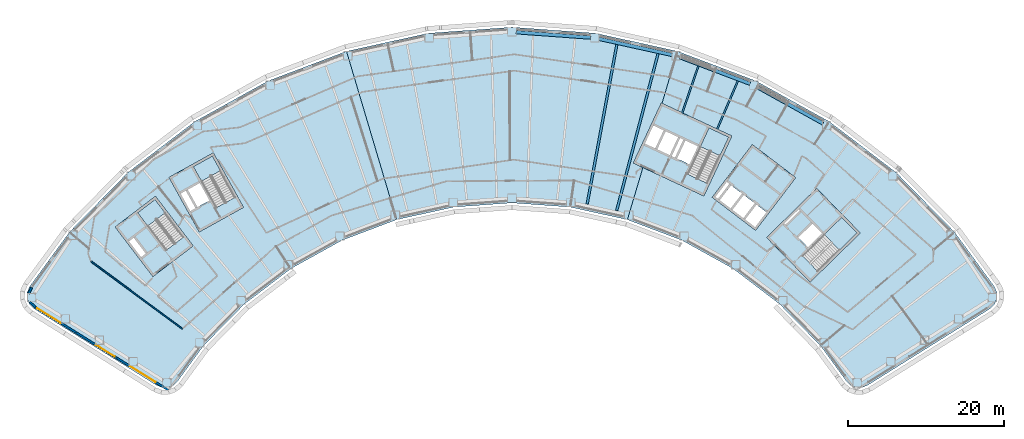
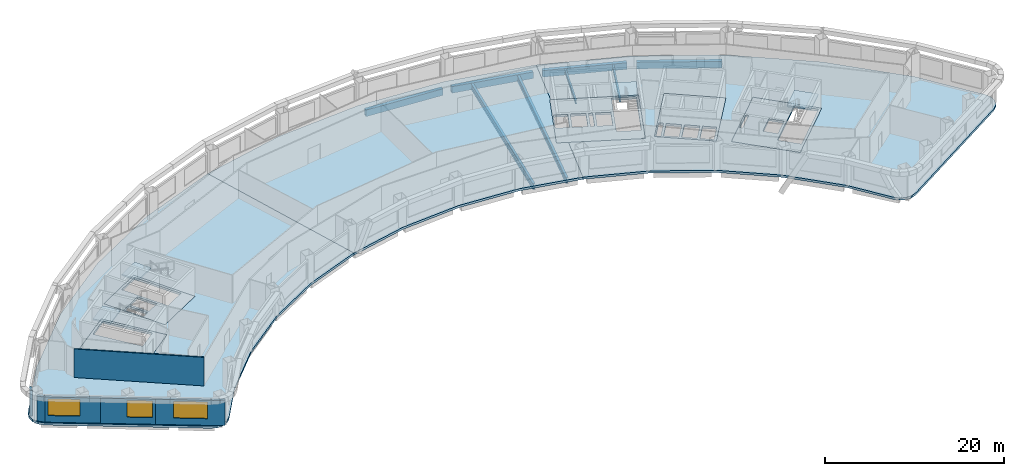
# One storey, part 2 of 12: 12 slabs, 8 beams, 6 walls, 3 windows, 3 openings, 4 elements without a shape of their own.
"""IFC4 building model written with IfcOpenShell, lengths in metres."""

from ifc_helpers import new_model, si_unit, direction, frame, frame_2d, origin, origin_2d, place, context, subcontext, project, spatial, polyline, rectangle, hollow_rectangle, i_section, outline, extrude, material, layer, layer_set, material_profile, profile_set, type_object, element, fill, aggregate, save


model = new_model("IFC4")

# Units and contexts
model_context = context("Model", 3, precision=1e-05, world=origin(), true_north=direction((0.0, 1.0)))
body_context = subcontext(model_context, "Body", "Model", "MODEL_VIEW")
ifc_project = project(units=[si_unit("LENGTHUNIT", "METRE"), si_unit("AREAUNIT", "SQUARE_METRE"), si_unit("VOLUMEUNIT", "CUBIC_METRE"), si_unit("PLANEANGLEUNIT", "RADIAN"), si_unit("MASSUNIT", "GRAM", prefix="KILO")], contexts=[model_context])

# Site, building, storey
site_placement = place(None, origin())
site = spatial("IfcSite", under=ifc_project, at=site_placement, CompositionType="ELEMENT")
building_placement = place(site_placement, origin())
building = spatial("IfcBuilding", under=site, at=building_placement, Name="Tuul Gate Civic Tower", CompositionType="ELEMENT")
storey_placement = place(building_placement, frame((0.0, 0.0, 103.5)))
storey = spatial("IfcBuildingStorey", under=building, at=storey_placement, Name="Level 23", CompositionType="ELEMENT", Elevation=103.5)

# Beams
ifc_material_1 = material(Name="Steel S355", Category="steel")
ifc_material_profile_1 = material_profile(ifc_material_1, i_section(OverallWidth=0.199951171875, OverallDepth=0.5, WebThickness=0.010009765625, FlangeThickness=0.01611328125, at=origin_2d()), Name="PG500x200x10x16")
ifc_profile_set_1 = profile_set([ifc_material_profile_1], Name="Steel S355")
beam_type_1 = type_object("IfcBeamType", Name="STR-FLOOR BEAM-PG500x200x10x16", PredefinedType="BEAM", material=ifc_profile_set_1)
beam_1_placement = place(storey_placement, frame((36.169677734375, 1.197998046875, -0.550048828125), z_axis=(0.394200560457, 0.919024438269, 0.0), x_axis=(-0.919024438269, 0.394200560457, 0.0)))
element("IfcBeam", 1, at=beam_1_placement, inside=storey, type_object=beam_type_1, Name="Floor beam", PredefinedType="BEAM", context=body_context, shape_type="SweptSolid", body=[
    extrude(i_section(OverallWidth=0.199951171875, OverallDepth=0.5, WebThickness=0.010009765625, FlangeThickness=0.01611328125, at=origin_2d()), origin(), (0.0, 0.0, 1.0), 6.704345703125),
])
beam_2_placement = place(storey_placement, frame((31.6875, 3.2880859375, -0.550048828125), z_axis=(0.325502200931, 0.945541282647, 0.0), x_axis=(-0.945541282647, 0.325502200931, 0.0)))
element("IfcBeam", 2, at=beam_2_placement, inside=storey, type_object=beam_type_1, Name="Floor beam", PredefinedType="BEAM", context=body_context, shape_type="SweptSolid", body=[
    extrude(i_section(OverallWidth=0.199951171875, OverallDepth=0.5, WebThickness=0.010009765625, FlangeThickness=0.01611328125, at=origin_2d()), origin(), (0.0, 0.0, 1.0), 6.3310546875),
])
ifc_material_2 = material(Name="Steel S355", Category="steel")
ifc_material_profile_2 = material_profile(ifc_material_2, i_section(OverallWidth=0.300048828125, OverallDepth=0.800048828125, WebThickness=0.013916015625, FlangeThickness=0.02490234375, at=origin_2d()), Name="PG800x300x14x25")
ifc_profile_set_2 = profile_set([ifc_material_profile_2], Name="Steel S355")
beam_type_2 = type_object("IfcBeamType", Name="STR-FLOOR BEAM-PG800x300x14x25", PredefinedType="BEAM", material=ifc_profile_set_2)
beam_3_placement = place(storey_placement, frame((23.267578125, -9.2548828125, -0.699951171875), z_axis=(0.255007612054, 0.966939045542, 0.0), x_axis=(-0.966939045542, 0.255007612054, 0.0)))
element("IfcBeam", 3, at=beam_3_placement, inside=storey, type_object=beam_type_2, Name="Floor beam", PredefinedType="BEAM", context=body_context, shape_type="SweptSolid", body=[
    extrude(i_section(OverallWidth=0.300048828125, OverallDepth=0.800048828125, WebThickness=0.013916015625, FlangeThickness=0.02490234375, at=origin_2d()), origin(), (0.0, 0.0, 1.0), 20.8173828125),
])
beam_4_placement = place(storey_placement, frame((19.477294921875, -8.419677734375, -0.699951171875), z_axis=(0.183147342328, 0.98308547492, 0.0), x_axis=(-0.98308547492, 0.183147342328, 0.0)))
element("IfcBeam", 4, at=beam_4_placement, inside=storey, type_object=beam_type_2, Name="Floor beam", PredefinedType="BEAM", context=body_context, shape_type="SweptSolid", body=[
    extrude(i_section(OverallWidth=0.300048828125, OverallDepth=0.800048828125, WebThickness=0.013916015625, FlangeThickness=0.02490234375, at=origin_2d()), origin(), (0.0, 0.0, 1.0), 20.811279296875),
])
ifc_material_3 = material(Name="Steel S355", Category="steel")
ifc_material_profile_3 = material_profile(ifc_material_3, hollow_rectangle(XDim=0.449951171875, YDim=0.89990234375, WallThickness=0.02490234375, at=origin_2d()), Name="BOX900x450x25")
ifc_profile_set_3 = profile_set([ifc_material_profile_3], Name="Steel S355")
beam_type_3 = type_object("IfcBeamType", Name="STR-SPANDREL BEAM-BOX900x450x25", PredefinedType="BEAM", material=ifc_profile_set_3)
beam_5_placement = place(storey_placement, frame((49.75, 1.9306640625, -0.75), z_axis=(-0.874633056334, 0.484785536879, 0.0), x_axis=(-0.484785536879, -0.874633056334, 0.0)))
element("IfcBeam", 5, at=beam_5_placement, inside=storey, type_object=beam_type_3, Name="Spandrel beam", PredefinedType="BEAM", context=body_context, shape_type="SweptSolid", body=[
    extrude(hollow_rectangle(XDim=0.449951171875, YDim=0.89990234375, WallThickness=0.02490234375, at=origin_2d()), origin(), (0.0, 0.0, 1.0), 9.57666015625),
])
beam_6_placement = place(storey_placement, frame((40.378662109375, 7.034423828125, -0.75), z_axis=(-0.935356695064, 0.353705884879, 0.0), x_axis=(-0.353705884879, -0.935356695064, 0.0)))
element("IfcBeam", 6, at=beam_6_placement, inside=storey, type_object=beam_type_3, Name="Spandrel beam", PredefinedType="BEAM", context=body_context, shape_type="SweptSolid", body=[
    extrude(hollow_rectangle(XDim=0.449951171875, YDim=0.89990234375, WallThickness=0.02490234375, at=origin_2d()), origin(), (0.0, 0.0, 1.0), 9.578369140625),
])
beam_7_placement = place(storey_placement, frame((30.367919921875, 10.7353515625, -0.75), z_axis=(-0.976564052188, 0.215226977802, 0.0), x_axis=(-0.215226977802, -0.976564052188, 0.0)))
element("IfcBeam", 7, at=beam_7_placement, inside=storey, type_object=beam_type_3, Name="Spandrel beam", PredefinedType="BEAM", context=body_context, shape_type="SweptSolid", body=[
    extrude(hollow_rectangle(XDim=0.449951171875, YDim=0.89990234375, WallThickness=0.02490234375, at=origin_2d()), origin(), (0.0, 0.0, 1.0), 9.5771484375),
])
beam_8_placement = place(storey_placement, frame((19.929443359375, 12.954833984375, -0.75), z_axis=(-0.997390439125, 0.072196343002, 0.0), x_axis=(-0.072196343002, -0.997390439125, 0.0)))
element("IfcBeam", 8, at=beam_8_placement, inside=storey, type_object=beam_type_3, Name="Spandrel beam", PredefinedType="BEAM", context=body_context, shape_type="SweptSolid", body=[
    extrude(hollow_rectangle(XDim=0.449951171875, YDim=0.89990234375, WallThickness=0.02490234375, at=origin_2d()), origin(), (0.0, 0.0, 1.0), 9.57666015625),
])

# Slabs
ifc_material_4 = material(Name="Concrete C40/50", Category="concrete")
ifc_layer_1 = layer(ifc_material_4, 0.300048828125)
ifc_layer_set_1 = layer_set([ifc_layer_1], Name="Concrete C40/50")
slab_type_1 = type_object("IfcSlabType", Name="Core floor slab 300", PredefinedType="FLOOR", material=ifc_layer_set_1)
slab_1_placement = place(storey_placement, frame((0.0, 0.0, -0.300048828125)))
element("IfcSlab", 9, at=slab_1_placement, inside=storey, type_object=slab_type_1, Name="FLOOR SLAB", PredefinedType="FLOOR", context=body_context, shape_type="SweptSolid", body=[
    extrude(outline(polyline([(-31.10009765625, -13.7890625), (-35.946044921875, -7.423828125), (-41.11767578125, -11.361572265625), (-36.271484375, -17.726806640625), (-31.10009765625, -13.7890625)]), holes=[polyline([(-37.19287109375, -14.783203125), (-38.737548828125, -12.75439453125), (-39.45361328125, -13.299560546875), (-37.908935546875, -15.328369140625), (-37.19287109375, -14.783203125)]), polyline([(-32.33935546875, -12.65771484375), (-34.56591796875, -14.352783203125), (-38.229736328125, -9.54052734375), (-36.003173828125, -7.845458984375), (-32.33935546875, -12.65771484375)])]), origin(), (0.0, 0.0, 1.0), 0.300048828125),
])
slab_2_placement = place(storey_placement, frame((0.0, 0.0, -0.300048828125)))
element("IfcSlab", 10, at=slab_2_placement, inside=storey, type_object=slab_type_1, Name="FLOOR SLAB", PredefinedType="FLOOR", context=body_context, shape_type="SweptSolid", body=[
    extrude(outline(polyline([(-24.638916015625, -8.846923828125), (-28.51708984375, -1.849853515625), (-34.2021484375, -5.0009765625), (-30.32421875, -11.998046875), (-24.638916015625, -8.846923828125)]), holes=[polyline([(-29.0185546875, -7.958740234375), (-30.254638671875, -5.728515625), (-31.785400390625, -6.576904296875), (-30.54931640625, -8.80712890625), (-29.0185546875, -7.958740234375)]), polyline([(-30.8115234375, -8.95263671875), (-32.047607421875, -6.72216796875), (-32.8349609375, -7.158447265625), (-31.5986328125, -9.388916015625), (-30.8115234375, -8.95263671875)]), polyline([(-25.702392578125, -7.548828125), (-28.14990234375, -8.905517578125), (-31.08203125, -3.615234375), (-28.63427734375, -2.2587890625), (-25.702392578125, -7.548828125)])]), origin(), (0.0, 0.0, 1.0), 0.300048828125),
])
slab_3_placement = place(storey_placement, frame((0.0, 0.0, -0.300048828125)))
element("IfcSlab", 11, at=slab_3_placement, inside=storey, type_object=slab_type_1, Name="FLOOR SLAB", PredefinedType="FLOOR", context=body_context, shape_type="SweptSolid", body=[
    extrude(outline(polyline([(48.117919921875, -18.43310546875), (54.545166015625, -12.1328125), (48.945068359375, -6.419921875), (42.517822265625, -12.719970703125), (48.117919921875, -18.43310546875)]), holes=[polyline([(47.808837890625, -13.974853515625), (49.6298828125, -12.18994140625), (48.40478515625, -10.940185546875), (46.583984375, -12.72509765625), (47.808837890625, -13.974853515625)]), polyline([(44.93896484375, -11.046875), (46.760009765625, -9.261962890625), (46.514892578125, -9.011962890625), (44.69384765625, -10.797119140625), (44.93896484375, -11.046875)]), polyline([(49.086181640625, -17.062744140625), (47.12744140625, -15.064208984375), (52.160888671875, -10.130126953125), (54.11962890625, -12.128662109375), (49.086181640625, -17.062744140625)])]), origin(), (0.0, 0.0, 1.0), 0.300048828125),
])
slab_4_placement = place(storey_placement, frame((0.0, 0.0, -0.300048828125)))
element("IfcSlab", 12, at=slab_4_placement, inside=storey, type_object=slab_type_1, Name="FLOOR SLAB", PredefinedType="FLOOR", context=body_context, shape_type="SweptSolid", body=[
    extrude(outline(polyline([(34.465087890625, -7.385986328125), (38.056884765625, 0.31787109375), (28.993896484375, 4.543701171875), (25.40185546875, -3.159912109375), (34.465087890625, -7.385986328125)]), holes=[polyline([(32.60888671875, -3.32080078125), (33.6865234375, -1.009765625), (32.1005859375, -0.27001953125), (31.02294921875, -2.581298828125), (32.60888671875, -3.32080078125)]), polyline([(30.0712890625, -2.137451171875), (31.14892578125, 0.173583984375), (29.562744140625, 0.9130859375), (28.4853515625, -1.39794921875), (30.0712890625, -2.137451171875)]), polyline([(30.751220703125, -2.454345703125), (31.82861328125, -0.143310546875), (31.4208984375, 0.046875), (30.34326171875, -2.264404296875), (30.751220703125, -2.454345703125)]), polyline([(28.21337890625, -1.27099609375), (29.291015625, 1.0400390625), (27.8408203125, 1.71630859375), (26.76318359375, -0.594970703125), (28.21337890625, -1.27099609375)]), polyline([(34.889892578125, -5.7626953125), (32.353759765625, -4.580078125), (35.120849609375, 1.354736328125), (37.6572265625, 0.17236328125), (34.889892578125, -5.7626953125)])]), origin(), (0.0, 0.0, 1.0), 0.300048828125),
])
ifc_material_5 = material(Name="Concrete C40/50", Category="concrete")
ifc_layer_2 = layer(ifc_material_5, 0.300048828125)
ifc_layer_set_2 = layer_set([ifc_layer_2], Name="Concrete C40/50")
slab_type_2 = type_object("IfcSlabType", Name="Core floor slab 300 non-bearing", PredefinedType="FLOOR", material=ifc_layer_set_2)
slab_5_placement = place(storey_placement, frame((0.0, 0.0, -0.300048828125)))
element("IfcSlab", 13, at=slab_5_placement, inside=storey, type_object=slab_type_2, Name="FLOOR SLAB", PredefinedType="FLOOR", context=body_context, shape_type="SweptSolid", body=[
    extrude(outline(polyline([(41.10107421875, -11.797119140625), (46.25, -5.033935546875), (40.680908203125, -0.79296875), (35.531982421875, -7.555908203125), (41.10107421875, -11.797119140625)]), holes=[polyline([(41.044189453125, -11.37646484375), (42.497802734375, -9.467041015625), (41.22509765625, -8.49755859375), (39.77099609375, -10.4072265625), (41.044189453125, -11.37646484375)]), polyline([(39.532470703125, -10.225341796875), (40.986328125, -8.31591796875), (39.593994140625, -7.255615234375), (38.14013671875, -9.165283203125), (39.532470703125, -10.225341796875)]), polyline([(37.901611328125, -8.9833984375), (39.35546875, -7.073974609375), (37.963134765625, -6.013671875), (36.50927734375, -7.923095703125), (37.901611328125, -8.9833984375)]), polyline([(36.1796875, -7.860595703125), (37.724609375, -5.831787109375), (37.286865234375, -5.49853515625), (35.7421875, -7.527587890625), (36.1796875, -7.860595703125)])]), origin(), (0.0, 0.0, 1.0), 0.300048828125),
])

# Stair, slab
ifc_material_6 = material(Name="Concrete C40/50", Category="concrete")
stair_type = type_object("IfcStairType", Name="Exit stair", PredefinedType="HALF_TURN_STAIR", material=ifc_material_6)
stair_1_placement = place(storey_placement, origin())
stair_1 = element("IfcStair", 14, at=stair_1_placement, inside=storey, type_object=stair_type, Name="Level 23 ST-1", PredefinedType="HALF_TURN_STAIR")
ifc_material_7 = material(Name="Concrete C40/50", Category="concrete")
ifc_layer_3 = layer(ifc_material_7, 0.199951171875)
ifc_layer_set_3 = layer_set([ifc_layer_3], Name="Concrete C40/50")
slab_type_3 = type_object("IfcSlabType", Name="Exit stair landing", PredefinedType="LANDING", material=ifc_layer_set_3)
slab_6_placement = place(storey_placement, frame((0.0, 0.0, 1.89990234375)))
slab_6 = element("IfcSlab", 15, at=slab_6_placement, type_object=slab_type_3, Name="ST-1 landing 1", PredefinedType="LANDING", context=body_context, shape_type="SweptSolid", body=[
    extrude(outline(polyline([(-34.699462890625, -9.554931640625), (-36.9287109375, -11.252197265625), (-38.23193359375, -9.540283203125), (-36.0029296875, -7.843017578125), (-34.699462890625, -9.554931640625)])), origin(), (0.0, 0.0, 1.0), 0.2001953125),
])
aggregate(stair_1, [slab_6])

stair_2_placement = place(storey_placement, origin())
stair_2 = element("IfcStair", 16, at=stair_2_placement, inside=storey, type_object=stair_type, Name="Level 23 ST-2", PredefinedType="HALF_TURN_STAIR")
slab_7_placement = place(storey_placement, frame((0.0, 0.0, 1.89990234375)))
slab_7 = element("IfcSlab", 17, at=slab_7_placement, type_object=slab_type_3, Name="ST-2 landing 1", PredefinedType="LANDING", context=body_context, shape_type="SweptSolid", body=[
    extrude(outline(polyline([(-27.5908203125, -4.138427734375), (-30.041015625, -5.49658203125), (-31.084228515625, -3.61474609375), (-28.6337890625, -2.256591796875), (-27.5908203125, -4.138427734375)])), origin(), (0.0, 0.0, 1.0), 0.2001953125),
])
aggregate(stair_2, [slab_7])

stair_3_placement = place(storey_placement, origin())
stair_3 = element("IfcStair", 18, at=stair_3_placement, inside=storey, type_object=stair_type, Name="Level 23 ST-3", PredefinedType="HALF_TURN_STAIR")
slab_8_placement = place(storey_placement, frame((0.0, 0.0, 1.89990234375)))
slab_8 = element("IfcSlab", 19, at=slab_8_placement, type_object=slab_type_3, Name="ST-3 landing 1", PredefinedType="LANDING", context=body_context, shape_type="SweptSolid", body=[
    extrude(outline(polyline([(51.871337890625, -14.3349609375), (49.91015625, -12.334228515625), (52.160888671875, -10.1279296875), (54.1220703125, -12.128662109375), (51.871337890625, -14.3349609375)])), origin(), (0.0, 0.0, 1.0), 0.2001953125),
])
aggregate(stair_3, [slab_8])

stair_4_placement = place(storey_placement, origin())
stair_4 = element("IfcStair", 20, at=stair_4_placement, inside=storey, type_object=stair_type, Name="Level 23 ST-4", PredefinedType="HALF_TURN_STAIR")
slab_9_placement = place(storey_placement, frame((0.0, 0.0, 1.89990234375)))
slab_9 = element("IfcSlab", 21, at=slab_9_placement, type_object=slab_type_3, Name="ST-4 landing 1", PredefinedType="LANDING", context=body_context, shape_type="SweptSolid", body=[
    extrude(outline(polyline([(36.538818359375, -2.230224609375), (33.999755859375, -1.046142578125), (35.1201171875, 1.35693359375), (37.659423828125, 0.173095703125), (36.538818359375, -2.230224609375)])), origin(), (0.0, 0.0, 1.0), 0.2001953125),
])
aggregate(stair_4, [slab_9])

# Slabs
ifc_material_8 = material(Name="Concrete C35/45", Category="concrete")
ifc_layer_4 = layer(ifc_material_8, 0.300048828125)
ifc_layer_set_4 = layer_set([ifc_layer_4], Name="Concrete C35/45")
slab_type_4 = type_object("IfcSlabType", Name="STR-FLOOR-SLAB-300", PredefinedType="FLOOR", material=ifc_layer_set_4)
slab_10_placement = place(storey_placement, frame((0.0, 0.0, -0.300048828125)))
element("IfcSlab", 22, at=slab_10_placement, inside=storey, type_object=slab_type_4, Name="Level 23/slab/W", PredefinedType="FLOOR", context=body_context, shape_type="SweptSolid", body=[
    extrude(outline(polyline([(-12.0048828125, -13.0830078125), (-4.985107421875, -10.427978515625), (-11.4189453125, 11.194091796875), (-21.488037109375, 7.385986328125), (-30.902099609375, 2.1669921875), (-39.467041015625, -4.35302734375), (-47.001953125, -12.0400390625), (-52.0830078125, -18.9970703125), (-52.4189453125, -19.739990234375), (-52.430908203125, -20.555908203125), (-52.116943359375, -21.30810546875), (-51.527099609375, -21.8720703125), (-35.797119140625, -31.701904296875), (-35.10302734375, -31.971923828125), (-34.35791015625, -31.968994140625), (-33.666015625, -31.694091796875), (-33.1220703125, -31.18505859375), (-29.79296875, -26.626953125), (-24.5400390625, -21.26806640625), (-18.569091796875, -16.720947265625), (-12.0048828125, -13.0830078125)]), holes=[polyline([(-31.10009765625, -13.7890625), (-36.27197265625, -17.72705078125), (-41.117919921875, -11.362060546875), (-35.946044921875, -7.424072265625), (-31.10009765625, -13.7890625)]), polyline([(-24.638916015625, -8.846923828125), (-30.323974609375, -11.998046875), (-34.201904296875, -5.0009765625), (-28.51708984375, -1.85009765625), (-24.638916015625, -8.846923828125)])]), origin(), (0.0, 0.0, 1.0), 0.300048828125),
])
slab_11_placement = place(storey_placement, frame((0.0, 0.0, -0.300048828125)))
element("IfcSlab", 23, at=slab_11_placement, inside=storey, type_object=slab_type_4, Name="Level 23/slab/M", PredefinedType="FLOOR", context=body_context, shape_type="SweptSolid", body=[
    extrude(outline(polyline([(24.64306640625, -10.427978515625), (26.635009765625, -3.735107421875), (25.402099609375, -3.159912109375), (28.993896484375, 4.5439453125), (29.0859375, 4.5009765625), (31.076904296875, 11.194091796875), (20.56494140625, 13.510009765625), (9.8291015625, 14.2880859375), (-0.906982421875, 13.510009765625), (-11.4189453125, 11.194091796875), (-4.985107421875, -10.427978515625), (2.343994140625, -8.81298828125), (9.8291015625, -8.27099609375), (17.31396484375, -8.81298828125), (24.64306640625, -10.427978515625)])), origin(), (0.0, 0.0, 1.0), 0.300048828125),
])
slab_12_placement = place(storey_placement, frame((0.0, 0.0, -0.300048828125)))
element("IfcSlab", 24, at=slab_12_placement, inside=storey, type_object=slab_type_4, Name="Level 23/slab/E", PredefinedType="FLOOR", context=body_context, shape_type="SweptSolid", body=[
    extrude(outline(polyline([(54.760986328125, -31.971923828125), (55.455078125, -31.701904296875), (71.18505859375, -21.8720703125), (71.77392578125, -21.30810546875), (72.089111328125, -20.555908203125), (72.076904296875, -19.739990234375), (71.739990234375, -18.9970703125), (66.659912109375, -12.0400390625), (59.1240234375, -4.35302734375), (50.56005859375, 2.1669921875), (41.14501953125, 7.385986328125), (31.076904296875, 11.194091796875), (29.0859375, 4.5009765625), (38.056884765625, 0.318115234375), (34.465087890625, -7.385986328125), (26.635009765625, -3.735107421875), (24.64306640625, -10.427978515625), (31.6630859375, -13.0830078125), (38.22607421875, -16.720947265625), (44.197021484375, -21.26806640625), (49.450927734375, -26.626953125), (52.780029296875, -31.18505859375), (53.323974609375, -31.694091796875), (54.01611328125, -31.968994140625), (54.760986328125, -31.971923828125)]), holes=[polyline([(48.117919921875, -18.43310546875), (42.51806640625, -12.719970703125), (48.945068359375, -6.419921875), (54.544921875, -12.133056640625), (48.117919921875, -18.43310546875)]), polyline([(35.531982421875, -7.555908203125), (40.680908203125, -0.79296875), (46.25, -5.033935546875), (41.10107421875, -11.797119140625), (35.531982421875, -7.555908203125)])]), origin(), (0.0, 0.0, 1.0), 0.300048828125),
])

# Walls
ifc_material_9 = material(Name="Gypsum board partition")
ifc_layer_5 = layer(ifc_material_9, 0.14990234375)
ifc_layer_set_5 = layer_set([ifc_layer_5], Name="Gypsum board partition")
wall_type_1 = type_object("IfcWallType", Name="Corridor wall P150", PredefinedType="PARTITIONING", material=ifc_layer_set_5)
wall_1_placement = place(storey_placement, frame((-44.2392578125, -15.7587890625, 0.0), z_axis=(0.0, 0.0, 1.0), x_axis=(0.804082742334, -0.59451740385, 0.0)))
element("IfcWall", 25, at=wall_1_placement, inside=storey, type_object=wall_type_1, Name="p023", PredefinedType="PARTITIONING", context=body_context, shape_type="SweptSolid", body=[
    extrude(rectangle(XDim=14.61474609375, YDim=0.14990234375, at=frame_2d((7.307373046875, 0.0))), origin(), (0.0, 0.0, 1.0), 3.89990234375),
])
ifc_material_10 = material(Name="Precast concrete C40/50", Category="concrete")
ifc_layer_6 = layer(ifc_material_10, 0.25)
ifc_layer_set_6 = layer_set([ifc_layer_6], Name="Precast concrete C40/50")
wall_type_2 = type_object("IfcWallType", Name="External wall", PredefinedType="STANDARD", material=ifc_layer_set_6)
wall_2_placement = place(storey_placement, frame((-51.84814453125, -19.136474609375, 0.0), z_axis=(0.0, 0.0, 1.0), x_axis=(-0.411894351911, -0.911231607696, 0.0)))
element("IfcWall", 26, at=wall_2_placement, inside=storey, type_object=wall_type_2, Name="External wall", PredefinedType="STANDARD", context=body_context, shape_type="SweptSolid", body=[
    extrude(rectangle(XDim=0.829345703125, YDim=0.25, at=frame_2d((0.41455078125, 0.0))), origin(), (0.0, 0.0, 1.0), 3.449951171875),
])
wall_3_placement = place(storey_placement, frame((-52.053466796875, -20.991943359375, 0.0), z_axis=(0.0, 0.0, 1.0), x_axis=(0.722104872767, -0.691783602527, 0.0)))
element("IfcWall", 27, at=wall_3_placement, inside=storey, type_object=wall_type_2, Name="External wall", PredefinedType="STANDARD", context=body_context, shape_type="SweptSolid", body=[
    extrude(rectangle(XDim=0.958251953125, YDim=0.25, at=frame_2d((0.47900390625, 0.0))), origin(), (0.0, 0.0, 1.0), 3.449951171875),
])

# Wall, opening, window
wall_4_placement = place(storey_placement, frame((-51.3818359375, -21.638916015625, 0.0), z_axis=(0.0, 0.0, 1.0), x_axis=(0.848053758074, -0.529910203164, 0.0)))
wall_4 = element("IfcWall", 28, at=wall_4_placement, inside=storey, type_object=wall_type_2, Name="External wall", PredefinedType="STANDARD", context=body_context, shape_type="SweptSolid", body=[
    extrude(rectangle(XDim=6.182861328125, YDim=0.25, at=frame_2d((3.09130859375, 0.0))), origin(), (0.0, 0.0, 1.0), 3.449951171875),
])
opening_1_placement = place(wall_4_placement, frame((0.322998046875, 0.0, 0.89990234375)))
opening_1 = element("IfcOpeningElement", 29, at=opening_1_placement, cuts=wall_4, Name="Opening W112", PredefinedType="OPENING", context=body_context, shape_type="SweptSolid", body=[
    extrude(rectangle(XDim=3.550048828125, YDim=2.300048828125, at=frame_2d((1.77490234375, 1.14990234375))), frame((0.0, 0.135009765625, 0.0), z_axis=(0.0, -1.0, 0.0), x_axis=(1.0, 0.0, 0.0)), (0.0, 0.0, 1.0), 0.27001953125),
])
ifc_material_11 = material(Name="Glass", Category="glass")
window_type_1 = type_object("IfcWindowType", Name="Window W112 3550 x 2300", PartitioningType="SINGLE_PANEL", PredefinedType="WINDOW", material=ifc_material_11)
window_1_placement = place(opening_1_placement, origin())
window_1 = element("IfcWindow", 30, at=window_1_placement, inside=storey, type_object=window_type_1, Name="Window", OverallHeight=2.300048828125, OverallWidth=3.550048828125, PartitioningType="SINGLE_PANEL", PredefinedType="WINDOW", context=body_context, shape_type="SweptSolid", body=[
    extrude(rectangle(XDim=3.550048828125, YDim=2.300048828125, at=frame_2d((1.77490234375, 1.14990234375))), frame((0.0, 0.030029296875, 0.0), z_axis=(0.0, -1.0, 0.0), x_axis=(1.0, 0.0, 0.0)), (0.0, 0.0, 1.0), 0.06005859375),
])
fill(opening_1, window_1)

wall_5_placement = place(storey_placement, frame((-46.138427734375, -24.915283203125, 0.0), z_axis=(0.0, 0.0, 1.0), x_axis=(0.848053758074, -0.529910203164, 0.0)))
wall_5 = element("IfcWall", 31, at=wall_5_placement, inside=storey, type_object=wall_type_2, Name="External wall", PredefinedType="STANDARD", context=body_context, shape_type="SweptSolid", body=[
    extrude(rectangle(XDim=6.182861328125, YDim=0.25, at=frame_2d((3.09130859375, 0.0))), origin(), (0.0, 0.0, 1.0), 3.449951171875),
])
opening_2_placement = place(wall_5_placement, frame((3.006103515625, 0.0, 0.89990234375)))
opening_2 = element("IfcOpeningElement", 32, at=opening_2_placement, cuts=wall_5, Name="Opening W68", PredefinedType="OPENING", context=body_context, shape_type="SweptSolid", body=[
    extrude(rectangle(XDim=2.85009765625, YDim=2.300048828125, at=frame_2d((1.425048828125, 1.14990234375))), frame((0.0, 0.135009765625, 0.0), z_axis=(0.0, -1.0, 0.0), x_axis=(1.0, 0.0, 0.0)), (0.0, 0.0, 1.0), 0.27001953125),
])
ifc_material_12 = material(Name="Glass", Category="glass")
window_type_2 = type_object("IfcWindowType", Name="Window 2850 x 2300", PartitioningType="SINGLE_PANEL", PredefinedType="WINDOW", material=ifc_material_12)
window_2_placement = place(opening_2_placement, origin())
window_2 = element("IfcWindow", 33, at=window_2_placement, inside=storey, type_object=window_type_2, Name="Window", OverallHeight=2.300048828125, OverallWidth=2.85009765625, PartitioningType="SINGLE_PANEL", PredefinedType="WINDOW", context=body_context, shape_type="SweptSolid", body=[
    extrude(rectangle(XDim=2.85009765625, YDim=2.300048828125, at=frame_2d((1.425048828125, 1.14990234375))), frame((0.0, 0.030029296875, 0.0), z_axis=(0.0, -1.0, 0.0), x_axis=(1.0, 0.0, 0.0)), (0.0, 0.0, 1.0), 0.06005859375),
])
fill(opening_2, window_2)

wall_6_placement = place(storey_placement, frame((-40.89501953125, -28.191650390625, 0.0), z_axis=(0.0, 0.0, 1.0), x_axis=(0.848044094411, -0.529925668311, 0.0)))
wall_6 = element("IfcWall", 34, at=wall_6_placement, inside=storey, type_object=wall_type_2, Name="External wall", PredefinedType="STANDARD", context=body_context, shape_type="SweptSolid", body=[
    extrude(rectangle(XDim=7.787353515625, YDim=0.25, at=frame_2d((3.8935546875, 0.0))), origin(), (0.0, 0.0, 1.0), 3.449951171875),
])
opening_3_placement = place(wall_6_placement, frame((1.9951171875, 0.0, 0.89990234375)))
opening_3 = element("IfcOpeningElement", 35, at=opening_3_placement, cuts=wall_6, Name="Opening W22", PredefinedType="OPENING", context=body_context, shape_type="SweptSolid", body=[
    extrude(rectangle(XDim=3.85009765625, YDim=2.300048828125, at=frame_2d((1.925048828125, 1.14990234375))), frame((0.0, 0.135009765625, 0.0), z_axis=(0.0, -1.0, 0.0), x_axis=(1.0, 0.0, 0.0)), (0.0, 0.0, 1.0), 0.27001953125),
])
ifc_material_13 = material(Name="Glass", Category="glass")
window_type_3 = type_object("IfcWindowType", Name="Window W22 3850 x 2300", PartitioningType="SINGLE_PANEL", PredefinedType="WINDOW", material=ifc_material_13)
window_3_placement = place(opening_3_placement, origin())
window_3 = element("IfcWindow", 36, at=window_3_placement, inside=storey, type_object=window_type_3, Name="Window", OverallHeight=2.300048828125, OverallWidth=3.85009765625, PartitioningType="SINGLE_PANEL", PredefinedType="WINDOW", context=body_context, shape_type="SweptSolid", body=[
    extrude(rectangle(XDim=3.85009765625, YDim=2.300048828125, at=frame_2d((1.925048828125, 1.14990234375))), frame((0.0, 0.030029296875, 0.0), z_axis=(0.0, -1.0, 0.0), x_axis=(1.0, 0.0, 0.0)), (0.0, 0.0, 1.0), 0.06005859375),
])
fill(opening_3, window_3)

save(model, "model.ifc")
